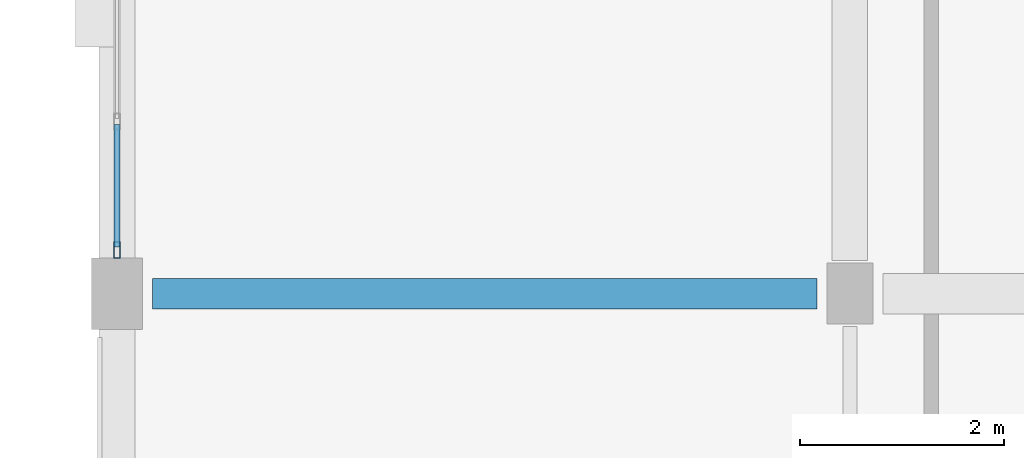
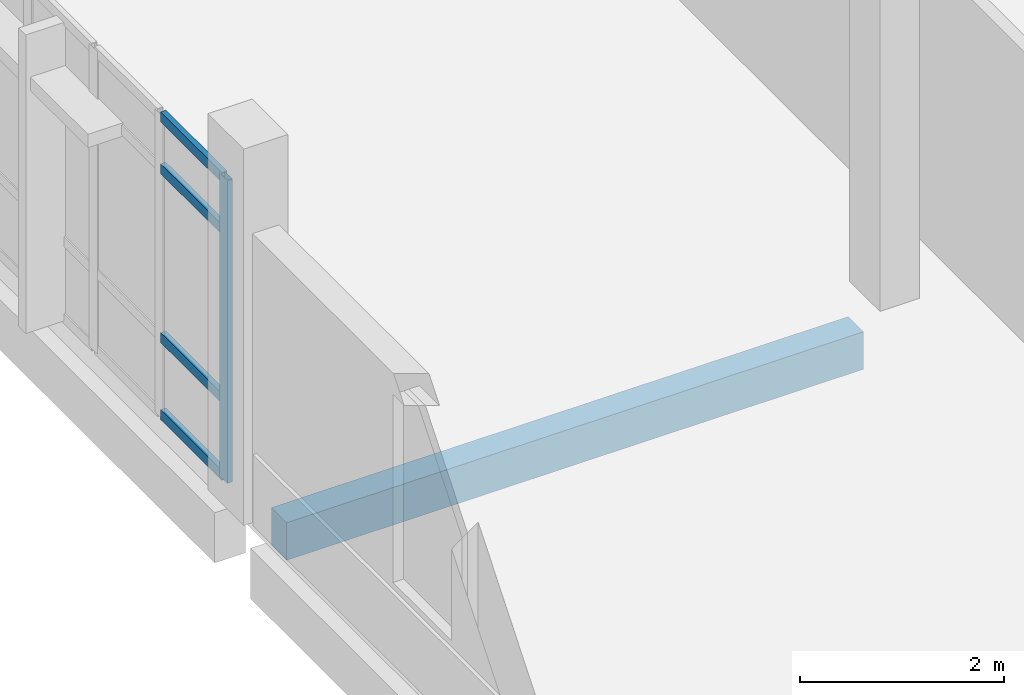
# One storey, part 5 of 87: 5 members, 1 beam, 1 element without a shape of its own.
"""IFC4 building model written with IfcOpenShell, lengths in metres."""

import ifcopenshell
import ifcopenshell.guid

model = None  # the IFC model being written
_history = None  # IfcOwnerHistory: only IFC2X3 demands one
_inside = {}  # id of a spatial element -> (the spatial element, [elements in it])
_under = {}  # id of a project, library or spatial element -> (it, [spatial elements below it])
_declared = {}  # id of a project -> (the project, [libraries it declares])
_typed = {}  # id of a type object -> (the type object, [elements of that type])
_made_of = {}  # id of a material, layer set ... -> (it, [elements and type objects made of it])


def new_model(schema):
    """Start an empty IFC model of exactly this schema.

    Asked for "IFC4X3", IfcOpenShell would pick the latest addendum, in which some entities
    have other attributes; the version numbers below select the first issue.
    IFC2X3 requires an IfcOwnerHistory on every rooted entity: one is made here for all.
    """
    global model, _history
    if schema == "IFC4X3":
        model = ifcopenshell.file(schema_version=(4, 3, 0, 0))
    else:
        model = ifcopenshell.file(schema=schema)
    _inside.clear()
    _under.clear()
    _declared.clear()
    _typed.clear()
    _made_of.clear()
    _history = None
    if model.schema == "IFC2X3":
        org = make("IfcOrganization", Name="unknown")
        user = make(
            "IfcPersonAndOrganization",
            ThePerson=make("IfcPerson", FamilyName="unknown"),
            TheOrganization=org,
        )
        app = make(
            "IfcApplication",
            ApplicationDeveloper=org,
            Version="unknown",
            ApplicationFullName="unknown",
            ApplicationIdentifier="unknown",
        )
        _history = make(
            "IfcOwnerHistory",
            OwningUser=user,
            OwningApplication=app,
            ChangeAction="ADDED",
            CreationDate=0,
        )
    return model


def make(cls, **values):
    """One entity of the class cls with the attributes given. An attribute that is None is left unset."""
    return model.create_entity(
        cls, **{name: value for name, value in values.items() if value is not None}
    )


def rooted(cls, **values):
    """An entity with a GlobalId (a new one), such as an element, a storey or a relation."""
    return make(cls, GlobalId=ifcopenshell.guid.new(), OwnerHistory=_history, **values)


def si_unit(unit_type, name, prefix=None):
    """IfcSIUnit, for example si_unit("LENGTHUNIT", "METRE", prefix="MILLI")."""
    return make("IfcSIUnit", UnitType=unit_type, Prefix=prefix, Name=name)


def assignment(units):
    """IfcUnitAssignment: the units of a project."""
    return None if units is None else make("IfcUnitAssignment", Units=units)


def point(xyz):
    """IfcCartesianPoint."""
    return None if xyz is None else make("IfcCartesianPoint", Coordinates=xyz)


def direction(xyz):
    """IfcDirection."""
    return None if xyz is None else make("IfcDirection", DirectionRatios=xyz)


def frame(location, z_axis=None, x_axis=None):
    """IfcAxis2Placement3D, a coordinate frame: its origin and axes. An axis left out is left unset."""
    return make(
        "IfcAxis2Placement3D",
        Location=point(location),
        Axis=direction(z_axis),
        RefDirection=direction(x_axis),
    )


def frame_2d(location, x_axis=None):
    """IfcAxis2Placement2D, a coordinate frame in the plane: its origin and x axis."""
    return make(
        "IfcAxis2Placement2D", Location=point(location), RefDirection=direction(x_axis)
    )


def origin():
    """The frame at (0, 0, 0) with its axes left unset."""
    return frame((0.0, 0.0, 0.0))


def origin_2d():
    """The frame at (0, 0) in the plane with its x axis left unset."""
    return frame_2d((0.0, 0.0))


def place(relative_to, where):
    """IfcLocalPlacement: puts the frame where relative to a parent placement (None: the world)."""
    return make(
        "IfcLocalPlacement", PlacementRelTo=relative_to, RelativePlacement=where
    )


def context(
    kind, dimensions, precision=None, world=None, true_north=None, identifier=None
):
    """IfcGeometricRepresentationContext, for example the 3D "Model" context."""
    return make(
        "IfcGeometricRepresentationContext",
        ContextIdentifier=identifier,
        ContextType=kind,
        CoordinateSpaceDimension=dimensions,
        Precision=precision,
        WorldCoordinateSystem=world,
        TrueNorth=true_north,
    )


def subcontext(parent, identifier, kind, view, scale=None):
    """IfcGeometricRepresentationSubContext, for example "Body" below "Model"."""
    return make(
        "IfcGeometricRepresentationSubContext",
        ContextIdentifier=identifier,
        ContextType=kind,
        ParentContext=parent,
        TargetScale=scale,
        TargetView=view,
    )


def project(units=None, contexts=None):
    """IfcProject with its units and contexts."""
    return rooted(
        "IfcProject",
        Name="project",
        RepresentationContexts=contexts,
        UnitsInContext=assignment(units),
    )


def spatial(cls, under=None, at=None, **own):
    """A site, building, storey or space (cls), placed at a placement, below another one or the project."""
    s = rooted(cls, ObjectPlacement=at, **own)
    if under is not None:
        _under.setdefault(under.id(), (under, []))[1].append(s)
    return s


def profile(cls, at=None, kind="AREA", **sizes):
    """A parametric profile (cls). Its sizes go by their IFC names, for example OverallWidth=200.0."""
    return make(cls, ProfileType=kind, Position=at, **sizes)


def rectangle(**sizes):
    """IfcRectangleProfileDef."""
    return profile("IfcRectangleProfileDef", **sizes)


def hollow_rectangle(**sizes):
    """IfcRectangleHollowProfileDef."""
    return profile("IfcRectangleHollowProfileDef", **sizes)


def extrude(swept, where, along, depth):
    """IfcExtrudedAreaSolid: the profile swept, set in the frame where, extruded along a direction by depth."""
    return make(
        "IfcExtrudedAreaSolid",
        SweptArea=swept,
        Position=where,
        ExtrudedDirection=direction(along),
        Depth=depth,
    )


def shape(context_of_items, identifier, shape_type, items):
    """IfcShapeRepresentation: the items that make up one representation, for example the "Body"."""
    return make(
        "IfcShapeRepresentation",
        ContextOfItems=context_of_items,
        RepresentationIdentifier=identifier,
        RepresentationType=shape_type,
        Items=items,
    )


def material(Name=None, Category=None):
    """IfcMaterial."""
    return make("IfcMaterial", Name=Name, Category=Category)


def material_profile(
    of_material, cross_section, Name=None, Category=None, Priority=None
):
    """IfcMaterialProfile: a cross section and its material."""
    return make(
        "IfcMaterialProfile",
        Name=Name,
        Material=of_material,
        Profile=cross_section,
        Priority=Priority,
        Category=Category,
    )


def profile_set(profiles, Name=None, composite=None):
    """IfcMaterialProfileSet."""
    return make(
        "IfcMaterialProfileSet",
        Name=Name,
        MaterialProfiles=profiles,
        CompositeProfile=composite,
    )


def made_of(thing, what):
    """Note that an element or type object is made of a material, layer set ...; save() writes the relation."""
    if what is not None:
        _made_of.setdefault(what.id(), (what, []))[1].append(thing)
    return thing


def type_object(cls, material=None, **own):
    """A type object (cls), such as IfcWallType, which elements share."""
    return made_of(rooted(cls, **own), material)


def element(
    cls,
    number,
    at=None,
    inside=None,
    cuts=None,
    type_object=None,
    material=None,
    context=None,
    identifier="Body",
    shape_type=None,
    held_by="IfcProductDefinitionShape",
    body=None,
    shapes=None,
    **own,
):
    """One element of the class cls, such as IfcWall. Its Tag is "e" and its number.

    at: its placement. inside: the storey or other place that contains it. cuts: it is an
    opening in that element (IfcRelVoidsElement). A single representation is given by context,
    identifier, shape_type and body (its items); several are given by shapes. held_by: the class
    of the entity that holds the representations. save() writes the other relations.
    """
    e = rooted(cls, Tag="e%d" % number, ObjectPlacement=at, **own)
    if body is not None:
        shapes = [shape(context, identifier, shape_type, body)]
    if shapes is not None:
        e.Representation = make(held_by, Representations=shapes)
    if inside is not None:
        _inside.setdefault(inside.id(), (inside, []))[1].append(e)
    if cuts is not None:
        rooted(
            "IfcRelVoidsElement", RelatingBuildingElement=cuts, RelatedOpeningElement=e
        )
    if type_object is not None:
        _typed.setdefault(type_object.id(), (type_object, []))[1].append(e)
    return made_of(e, material)


def aggregate(whole, parts):
    """IfcRelAggregates: a whole, such as a stair, and the parts it consists of."""
    return rooted("IfcRelAggregates", RelatingObject=whole, RelatedObjects=parts)


def save(model, path):
    """Write the relations noted so far, then the file.

    IfcRelAggregates (storeys below a building ...), IfcRelContainedInSpatialStructure (elements
    in a storey), IfcRelDefinesByType, IfcRelAssociatesMaterial and IfcRelDeclares: one each for
    every whole, place, type object, material and project.
    """
    for whole, parts in _under.values():
        aggregate(whole, parts)
    for where, things in _inside.values():
        rooted(
            "IfcRelContainedInSpatialStructure",
            RelatedElements=things,
            RelatingStructure=where,
        )
    for kind, things in _typed.values():
        rooted("IfcRelDefinesByType", RelatedObjects=things, RelatingType=kind)
    for what, things in _made_of.values():
        rooted("IfcRelAssociatesMaterial", RelatedObjects=things, RelatingMaterial=what)
    for by, libraries in _declared.values():
        rooted("IfcRelDeclares", RelatingContext=by, RelatedDefinitions=libraries)
    model.write(path)


model = new_model("IFC4")

# Units and contexts
model_context = context("Model", 3, precision=1e-05, world=origin(), true_north=direction((0.0, 1.0)))
body_context = subcontext(model_context, "Body", "Model", "MODEL_VIEW")
ifc_project = project(units=[si_unit("LENGTHUNIT", "METRE"), si_unit("AREAUNIT", "SQUARE_METRE"), si_unit("VOLUMEUNIT", "CUBIC_METRE"), si_unit("PLANEANGLEUNIT", "RADIAN"), si_unit("MASSUNIT", "GRAM", prefix="KILO")], contexts=[model_context])

# Site, building, storey
site_placement = place(None, origin())
site = spatial("IfcSite", under=ifc_project, at=site_placement, CompositionType="ELEMENT")
building_placement = place(site_placement, origin())
building = spatial("IfcBuilding", under=site, at=building_placement, Name="Kalluvel Institute of Natural Sciences", CompositionType="ELEMENT")
storey_placement = place(building_placement, frame((0.0, 0.0, 18.89990234375)))
storey = spatial("IfcBuildingStorey", under=building, at=storey_placement, Name="L04", CompositionType="ELEMENT", Elevation=18.89990234375)

# Curtain wall, members
ifc_material_1 = material(Name="Aluminium AW-6063 T6", Category="aluminium")
curtain_wall_type = type_object("IfcCurtainWallType", Name="CW-DRY-45", PredefinedType="USERDEFINED", material=ifc_material_1)
curtain_wall_placement = place(storey_placement, origin())
curtain_wall = element("IfcCurtainWall", 1, at=curtain_wall_placement, inside=storey, type_object=curtain_wall_type, Name="L04 Gothic lancet curtain wall CWA-L04-X140-Y288", ObjectType="UNITISED LANCET FACADE", PredefinedType="USERDEFINED")
ifc_material_profile_1 = material_profile(ifc_material_1, hollow_rectangle(XDim=0.06005859375, YDim=0.159912109375, WallThickness=0.00390625, at=origin_2d()), Name="CWM 60x160")
ifc_profile_set_1 = profile_set([ifc_material_profile_1], Name="Aluminium AW-6063 T6")
member_type_1 = type_object("IfcMemberType", Name="CWM-60x160", PredefinedType="MULLION", material=ifc_profile_set_1)
member_1_placement = place(storey_placement, frame((14.0, 28.830078125, 0.0), z_axis=(0.0, 0.0, 1.0), x_axis=(-1.0, 0.0, 0.0)))
member_1 = element("IfcMember", 2, at=member_1_placement, type_object=member_type_1, Name="CW-03 mullion 1", PredefinedType="MULLION", context=body_context, shape_type="SweptSolid", body=[
    extrude(hollow_rectangle(XDim=0.06005859375, YDim=0.159912109375, WallThickness=0.00390625, at=origin_2d()), origin(), (0.0, 0.0, 1.0), 3.6201171875),
])
ifc_material_profile_2 = material_profile(ifc_material_1, hollow_rectangle(XDim=0.06005859375, YDim=0.1201171875, WallThickness=0.00390625, at=origin_2d()), Name="CWT 60x120")
ifc_profile_set_2 = profile_set([ifc_material_profile_2], Name="Aluminium AW-6063 T6")
member_type_2 = type_object("IfcMemberType", Name="CWT-60x120", PredefinedType="USERDEFINED", material=ifc_profile_set_2)
member_2_placement = place(storey_placement, frame((14.0, 28.860107421875, 0.030029296875), z_axis=(0.0, 1.0, 0.0), x_axis=(-1.0, 0.0, 0.0)))
member_2 = element("IfcMember", 3, at=member_2_placement, type_object=member_type_2, Name="CW-03 transom 1.1", ObjectType="TRANSOM", PredefinedType="USERDEFINED", context=body_context, shape_type="SweptSolid", body=[
    extrude(hollow_rectangle(XDim=0.06005859375, YDim=0.1201171875, WallThickness=0.00390625, at=origin_2d()), origin(), (0.0, 0.0, 1.0), 1.199951171875),
])
member_3_placement = place(storey_placement, frame((14.0, 28.860107421875, 0.9501953125), z_axis=(0.0, 1.0, 0.0), x_axis=(-1.0, 0.0, 0.0)))
member_3 = element("IfcMember", 4, at=member_3_placement, type_object=member_type_2, Name="CW-03 transom 1.2", ObjectType="TRANSOM", PredefinedType="USERDEFINED", context=body_context, shape_type="SweptSolid", body=[
    extrude(hollow_rectangle(XDim=0.06005859375, YDim=0.1201171875, WallThickness=0.00390625, at=origin_2d()), origin(), (0.0, 0.0, 1.0), 1.199951171875),
])
member_4_placement = place(storey_placement, frame((14.0, 28.860107421875, 2.97021484375), z_axis=(0.0, 1.0, 0.0), x_axis=(-1.0, 0.0, 0.0)))
member_4 = element("IfcMember", 5, at=member_4_placement, type_object=member_type_2, Name="CW-03 transom 1.3", ObjectType="TRANSOM", PredefinedType="USERDEFINED", context=body_context, shape_type="SweptSolid", body=[
    extrude(hollow_rectangle(XDim=0.06005859375, YDim=0.1201171875, WallThickness=0.00390625, at=origin_2d()), origin(), (0.0, 0.0, 1.0), 1.199951171875),
])
member_5_placement = place(storey_placement, frame((14.0, 28.860107421875, 3.590087890625), z_axis=(0.0, 1.0, 0.0), x_axis=(-1.0, 0.0, 0.0)))
member_5 = element("IfcMember", 6, at=member_5_placement, type_object=member_type_2, Name="CW-03 transom 1.4", ObjectType="TRANSOM", PredefinedType="USERDEFINED", context=body_context, shape_type="SweptSolid", body=[
    extrude(hollow_rectangle(XDim=0.06005859375, YDim=0.1201171875, WallThickness=0.00390625, at=origin_2d()), origin(), (0.0, 0.0, 1.0), 1.199951171875),
])
aggregate(curtain_wall, [member_1, member_2, member_3, member_4, member_5])

# Beam
ifc_material_2 = material(Name="Concrete M40", Category="concrete")
ifc_material_profile_3 = material_profile(ifc_material_2, rectangle(XDim=0.300048828125, YDim=0.449951171875, at=origin_2d()), Name="RCB 300x450")
ifc_profile_set_3 = profile_set([ifc_material_profile_3], Name="Concrete M40")
beam_type = type_object("IfcBeamType", Name="SP-RC300x450", PredefinedType="SPANDREL", material=ifc_profile_set_3)
beam_placement = place(storey_placement, frame((14.35009765625, 28.39990234375, -0.52490234375), z_axis=(1.0, 0.0, 0.0), x_axis=(0.0, 1.0, 0.0)))
element("IfcBeam", 7, at=beam_placement, inside=storey, type_object=beam_type, Name="L04 girder GIR-L04-EW-X140-Y284", PredefinedType="SPANDREL", context=body_context, shape_type="SweptSolid", body=[
    extrude(rectangle(XDim=0.300048828125, YDim=0.449951171875, at=origin_2d()), origin(), (0.0, 0.0, 1.0), 6.52490234375),
])

save(model, "model.ifc")
